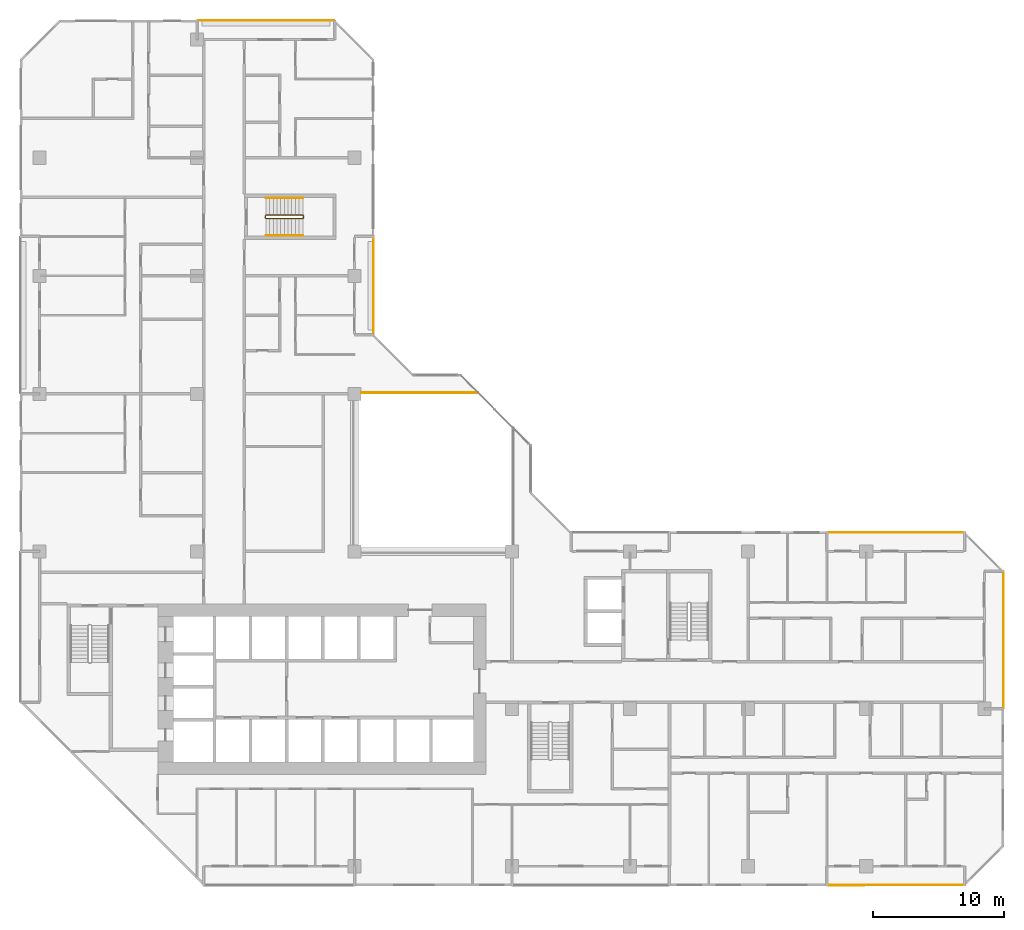
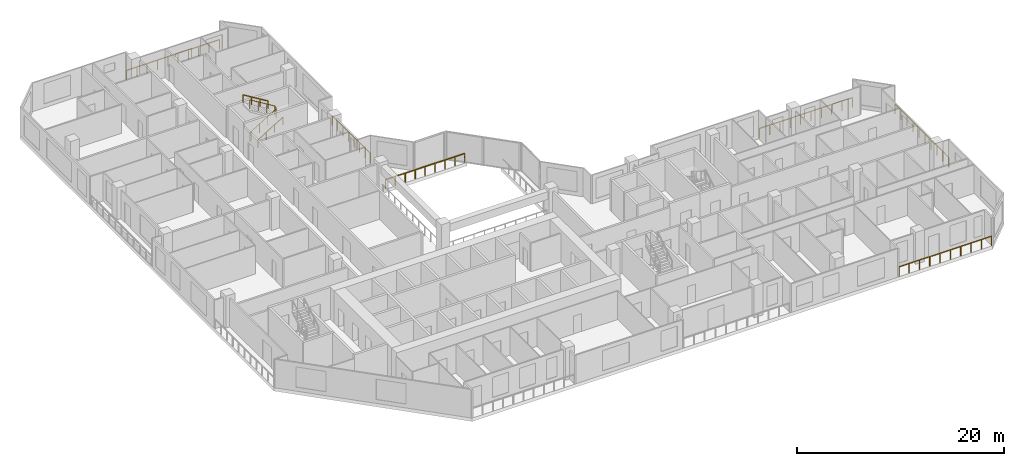
# One storey, part 15 of 15: 9 railings.
"""IFC4 building model written with IfcOpenShell, lengths in metres."""

from ifc_helpers import new_model, si_unit, direction, frame, origin, origin_2d, place, context, subcontext, project, spatial, rectangle, extrude, material, type_object, element, save


model = new_model("IFC4")

# Units and contexts
model_context = context("Model", 3, precision=1e-05, world=origin(), true_north=direction((0.0, 1.0)))
body_context = subcontext(model_context, "Body", "Model", "MODEL_VIEW")
ifc_project = project(units=[si_unit("LENGTHUNIT", "METRE"), si_unit("AREAUNIT", "SQUARE_METRE"), si_unit("VOLUMEUNIT", "CUBIC_METRE"), si_unit("PLANEANGLEUNIT", "RADIAN"), si_unit("MASSUNIT", "GRAM", prefix="KILO")], contexts=[model_context])

# Site, building, storey
site_placement = place(None, origin())
site = spatial("IfcSite", under=ifc_project, at=site_placement, CompositionType="ELEMENT")
building_placement = place(site_placement, origin())
building = spatial("IfcBuilding", under=site, at=building_placement, Name="Chenar Terraces", CompositionType="ELEMENT")
storey_placement = place(building_placement, frame((0.0, 0.0, 118.14990234375)))
storey = spatial("IfcBuildingStorey", under=building, at=storey_placement, Name="L27", CompositionType="ELEMENT", Elevation=118.14990234375)

# Railings
ifc_material_1 = material(Name="Powder-coated steel", Category="steel")
railing_type_1 = type_object("IfcRailingType", Name="Guard 1100 steel rail with glass infill", PredefinedType="GUARDRAIL", material=ifc_material_1)
railing_1_placement = place(storey_placement, frame((24.550048828125, 36.10009765625, 0.0)))
element("IfcRailing", 1, at=railing_1_placement, inside=storey, type_object=railing_type_1, Name="Guard L27-2", PredefinedType="GUARDRAIL", context=body_context, shape_type="SweptSolid", body=[
    extrude(rectangle(XDim=0.06005859375, YDim=0.06005859375, at=origin_2d()), frame((0.0, 0.0, 1.070068359375), z_axis=(1.0, 0.0, 0.0), x_axis=(0.0, 1.0, 0.0)), (0.0, 0.0, 1.0), 8.849853515625),
    extrude(rectangle(XDim=0.050048828125, YDim=0.050048828125, at=origin_2d()), origin(), (0.0, 0.0, 1.0), 1.0400390625),
    extrude(rectangle(XDim=0.050048828125, YDim=0.050048828125, at=origin_2d()), frame((1.106201171875, 0.0, 0.0)), (0.0, 0.0, 1.0), 1.0400390625),
    extrude(rectangle(XDim=0.050048828125, YDim=0.050048828125, at=origin_2d()), frame((2.21240234375, 0.0, 0.0)), (0.0, 0.0, 1.0), 1.0400390625),
    extrude(rectangle(XDim=0.050048828125, YDim=0.050048828125, at=origin_2d()), frame((3.318603515625, 0.0, 0.0)), (0.0, 0.0, 1.0), 1.0400390625),
    extrude(rectangle(XDim=0.050048828125, YDim=0.050048828125, at=origin_2d()), frame((4.4248046875, 0.0, 0.0)), (0.0, 0.0, 1.0), 1.0400390625),
    extrude(rectangle(XDim=0.050048828125, YDim=0.050048828125, at=origin_2d()), frame((5.53125, 0.0, 0.0)), (0.0, 0.0, 1.0), 1.0400390625),
    extrude(rectangle(XDim=0.050048828125, YDim=0.050048828125, at=origin_2d()), frame((6.637451171875, 0.0, 0.0)), (0.0, 0.0, 1.0), 1.0400390625),
    extrude(rectangle(XDim=0.050048828125, YDim=0.050048828125, at=origin_2d()), frame((7.74365234375, 0.0, 0.0)), (0.0, 0.0, 1.0), 1.0400390625),
    extrude(rectangle(XDim=0.050048828125, YDim=0.050048828125, at=origin_2d()), frame((8.849853515625, 0.0, 0.0)), (0.0, 0.0, 1.0), 1.0400390625),
])
ifc_material_2 = material(Name="Stainless steel and glass", Category="steel")
railing_type_2 = type_object("IfcRailingType", Name="Loggia guard 1150", PredefinedType="GUARDRAIL", material=ifc_material_2)
railing_2_placement = place(storey_placement, frame((25.449951171875, 40.574951171875, 0.0)))
element("IfcRailing", 2, at=railing_2_placement, inside=storey, type_object=railing_type_2, Name="Loggia guard", PredefinedType="GUARDRAIL", context=body_context, shape_type="SweptSolid", body=[
    extrude(rectangle(XDim=0.048095703125, YDim=0.048095703125, at=origin_2d()), frame((0.0, 0.0, 1.1259765625), z_axis=(0.0, 1.0, 0.0), x_axis=(-1.0, 0.0, 0.0)), (0.0, 0.0, 1.0), 7.35009765625),
    extrude(rectangle(XDim=0.0419921875, YDim=0.0419921875, at=origin_2d()), origin(), (0.0, 0.0, 1.0), 1.101806640625),
    extrude(rectangle(XDim=0.0419921875, YDim=0.0419921875, at=origin_2d()), frame((0.0, 1.050048828125, 0.0)), (0.0, 0.0, 1.0), 1.101806640625),
    extrude(rectangle(XDim=0.0419921875, YDim=0.0419921875, at=origin_2d()), frame((0.0, 2.10009765625, 0.0)), (0.0, 0.0, 1.0), 1.101806640625),
    extrude(rectangle(XDim=0.0419921875, YDim=0.0419921875, at=origin_2d()), frame((0.0, 3.150146484375, 0.0)), (0.0, 0.0, 1.0), 1.101806640625),
    extrude(rectangle(XDim=0.0419921875, YDim=0.0419921875, at=origin_2d()), frame((0.0, 4.199951171875, 0.0)), (0.0, 0.0, 1.0), 1.101806640625),
    extrude(rectangle(XDim=0.0419921875, YDim=0.0419921875, at=origin_2d()), frame((0.0, 5.25, 0.0)), (0.0, 0.0, 1.0), 1.101806640625),
    extrude(rectangle(XDim=0.0419921875, YDim=0.0419921875, at=origin_2d()), frame((0.0, 6.300048828125, 0.0)), (0.0, 0.0, 1.0), 1.101806640625),
    extrude(rectangle(XDim=0.0419921875, YDim=0.0419921875, at=origin_2d()), frame((0.0, 7.35009765625, 0.0)), (0.0, 0.0, 1.0), 1.101806640625),
])
railing_3_placement = place(storey_placement, frame((73.449951171875, 12.074951171875, 0.0)))
element("IfcRailing", 3, at=railing_3_placement, inside=storey, type_object=railing_type_2, Name="Loggia guard", PredefinedType="GUARDRAIL", context=body_context, shape_type="SweptSolid", body=[
    extrude(rectangle(XDim=0.048095703125, YDim=0.048095703125, at=origin_2d()), frame((0.0, 0.0, 1.1259765625), z_axis=(0.0, 1.0, 0.0), x_axis=(-1.0, 0.0, 0.0)), (0.0, 0.0, 1.0), 10.35009765625),
    extrude(rectangle(XDim=0.0419921875, YDim=0.0419921875, at=origin_2d()), origin(), (0.0, 0.0, 1.0), 1.101806640625),
    extrude(rectangle(XDim=0.0419921875, YDim=0.0419921875, at=origin_2d()), frame((0.0, 1.14990234375, 0.0)), (0.0, 0.0, 1.0), 1.101806640625),
    extrude(rectangle(XDim=0.0419921875, YDim=0.0419921875, at=origin_2d()), frame((0.0, 2.300048828125, 0.0)), (0.0, 0.0, 1.0), 1.101806640625),
    extrude(rectangle(XDim=0.0419921875, YDim=0.0419921875, at=origin_2d()), frame((0.0, 3.449951171875, 0.0)), (0.0, 0.0, 1.0), 1.101806640625),
    extrude(rectangle(XDim=0.0419921875, YDim=0.0419921875, at=origin_2d()), frame((0.0, 4.60009765625, 0.0)), (0.0, 0.0, 1.0), 1.101806640625),
    extrude(rectangle(XDim=0.0419921875, YDim=0.0419921875, at=origin_2d()), frame((0.0, 5.75, 0.0)), (0.0, 0.0, 1.0), 1.101806640625),
    extrude(rectangle(XDim=0.0419921875, YDim=0.0419921875, at=origin_2d()), frame((0.0, 6.900146484375, 0.0)), (0.0, 0.0, 1.0), 1.101806640625),
    extrude(rectangle(XDim=0.0419921875, YDim=0.0419921875, at=origin_2d()), frame((0.0, 8.050048828125, 0.0)), (0.0, 0.0, 1.0), 1.101806640625),
    extrude(rectangle(XDim=0.0419921875, YDim=0.0419921875, at=origin_2d()), frame((0.0, 9.2001953125, 0.0)), (0.0, 0.0, 1.0), 1.101806640625),
    extrude(rectangle(XDim=0.0419921875, YDim=0.0419921875, at=origin_2d()), frame((0.0, 10.35009765625, 0.0)), (0.0, 0.0, 1.0), 1.101806640625),
])
for number, where, name in (
    (4, (70.425048828125, 25.449951171875, 0.0), "Loggia guard"),
    (5, (22.425048828125, 64.449951171875, 0.0), "Loggia guard"),
):
    element("IfcRailing", number, at=place(storey_placement, frame(where)), inside=storey, type_object=railing_type_2, Name=name, PredefinedType="GUARDRAIL", context=body_context, shape_type="SweptSolid", body=[
        extrude(rectangle(XDim=0.048095703125, YDim=0.048095703125, at=origin_2d()), frame((0.0, 0.0, 1.1259765625), z_axis=(-1.0, 0.0, 0.0), x_axis=(0.0, -1.0, 0.0)), (0.0, 0.0, 1.0), 10.35009765625),
        extrude(rectangle(XDim=0.0419921875, YDim=0.0419921875, at=origin_2d()), origin(), (0.0, 0.0, 1.0), 1.101806640625),
        extrude(rectangle(XDim=0.0419921875, YDim=0.0419921875, at=origin_2d()), frame((-1.14990234375, 0.0, 0.0)), (0.0, 0.0, 1.0), 1.101806640625),
        extrude(rectangle(XDim=0.0419921875, YDim=0.0419921875, at=origin_2d()), frame((-2.300048828125, 0.0, 0.0)), (0.0, 0.0, 1.0), 1.101806640625),
        extrude(rectangle(XDim=0.0419921875, YDim=0.0419921875, at=origin_2d()), frame((-3.449951171875, 0.0, 0.0)), (0.0, 0.0, 1.0), 1.101806640625),
        extrude(rectangle(XDim=0.0419921875, YDim=0.0419921875, at=origin_2d()), frame((-4.60009765625, 0.0, 0.0)), (0.0, 0.0, 1.0), 1.101806640625),
        extrude(rectangle(XDim=0.0419921875, YDim=0.0419921875, at=origin_2d()), frame((-5.75, 0.0, 0.0)), (0.0, 0.0, 1.0), 1.101806640625),
        extrude(rectangle(XDim=0.0419921875, YDim=0.0419921875, at=origin_2d()), frame((-6.900146484375, 0.0, 0.0)), (0.0, 0.0, 1.0), 1.101806640625),
        extrude(rectangle(XDim=0.0419921875, YDim=0.0419921875, at=origin_2d()), frame((-8.050048828125, 0.0, 0.0)), (0.0, 0.0, 1.0), 1.101806640625),
        extrude(rectangle(XDim=0.0419921875, YDim=0.0419921875, at=origin_2d()), frame((-9.2001953125, 0.0, 0.0)), (0.0, 0.0, 1.0), 1.101806640625),
        extrude(rectangle(XDim=0.0419921875, YDim=0.0419921875, at=origin_2d()), frame((-10.35009765625, 0.0, 0.0)), (0.0, 0.0, 1.0), 1.101806640625),
    ])
railing_4_placement = place(storey_placement, frame((60.074951171875, -1.449951171875, 0.0)))
element("IfcRailing", 6, at=railing_4_placement, inside=storey, type_object=railing_type_2, Name="Loggia guard", PredefinedType="GUARDRAIL", context=body_context, shape_type="SweptSolid", body=[
    extrude(rectangle(XDim=0.048095703125, YDim=0.048095703125, at=origin_2d()), frame((0.0, 0.0, 1.1259765625), z_axis=(1.0, 0.0, 0.0), x_axis=(0.0, 1.0, 0.0)), (0.0, 0.0, 1.0), 10.35009765625),
    extrude(rectangle(XDim=0.0419921875, YDim=0.0419921875, at=origin_2d()), origin(), (0.0, 0.0, 1.0), 1.101806640625),
    extrude(rectangle(XDim=0.0419921875, YDim=0.0419921875, at=origin_2d()), frame((1.14990234375, 0.0, 0.0)), (0.0, 0.0, 1.0), 1.101806640625),
    extrude(rectangle(XDim=0.0419921875, YDim=0.0419921875, at=origin_2d()), frame((2.300048828125, 0.0, 0.0)), (0.0, 0.0, 1.0), 1.101806640625),
    extrude(rectangle(XDim=0.0419921875, YDim=0.0419921875, at=origin_2d()), frame((3.449951171875, 0.0, 0.0)), (0.0, 0.0, 1.0), 1.101806640625),
    extrude(rectangle(XDim=0.0419921875, YDim=0.0419921875, at=origin_2d()), frame((4.60009765625, 0.0, 0.0)), (0.0, 0.0, 1.0), 1.101806640625),
    extrude(rectangle(XDim=0.0419921875, YDim=0.0419921875, at=origin_2d()), frame((5.75, 0.0, 0.0)), (0.0, 0.0, 1.0), 1.101806640625),
    extrude(rectangle(XDim=0.0419921875, YDim=0.0419921875, at=origin_2d()), frame((6.900146484375, 0.0, 0.0)), (0.0, 0.0, 1.0), 1.101806640625),
    extrude(rectangle(XDim=0.0419921875, YDim=0.0419921875, at=origin_2d()), frame((8.050048828125, 0.0, 0.0)), (0.0, 0.0, 1.0), 1.101806640625),
    extrude(rectangle(XDim=0.0419921875, YDim=0.0419921875, at=origin_2d()), frame((9.2001953125, 0.0, 0.0)), (0.0, 0.0, 1.0), 1.101806640625),
    extrude(rectangle(XDim=0.0419921875, YDim=0.0419921875, at=origin_2d()), frame((10.35009765625, 0.0, 0.0)), (0.0, 0.0, 1.0), 1.101806640625),
])
ifc_material_3 = material(Name="Powder-coated steel", Category="steel")
railing_type_3 = type_object("IfcRailingType", Name="Stair guard 1100", PredefinedType="GUARDRAIL", material=ifc_material_3)
railing_5_placement = place(storey_placement, frame((17.25, 49.625, 3.75)))
element("IfcRailing", 7, at=railing_5_placement, inside=storey, type_object=railing_type_3, Name="L27 ST4 stair guard 1", PredefinedType="GUARDRAIL", context=body_context, shape_type="SweptSolid", body=[
    extrude(rectangle(XDim=0.048095703125, YDim=0.048095703125, at=origin_2d()), frame((0.0, 0.0, 1.076171875), z_axis=(0.854202870247, 0.0, -0.519939858505), x_axis=(0.0, 1.0, 0.0)), (0.0, 0.0, 1.0), 3.278076171875),
    extrude(rectangle(XDim=0.048095703125, YDim=0.048095703125, at=origin_2d()), frame((2.800048828125, 0.0, -0.62841796875), z_axis=(0.270899902878, -0.270899902878, -0.923702595667), x_axis=(0.707106781187, 0.707106781187, 0.0)), (0.0, 0.0, 1.0), 0.184814453125),
    extrude(rectangle(XDim=0.048095703125, YDim=0.048095703125, at=origin_2d()), frame((2.85009765625, -0.050048828125, -0.798828125), z_axis=(0.0, -1.0, 0.0), x_axis=(1.0, 0.0, 0.0)), (0.0, 0.0, 1.0), 0.14990234375),
    extrude(rectangle(XDim=0.048095703125, YDim=0.048095703125, at=origin_2d()), frame((2.85009765625, -0.199951171875, -0.798828125), z_axis=(-0.707106781187, -0.707106781187, 0.0), x_axis=(0.707106781187, -0.707106781187, 0.0)), (0.0, 0.0, 1.0), 0.07080078125),
    extrude(rectangle(XDim=0.048095703125, YDim=0.048095703125, at=origin_2d()), frame((2.800048828125, -0.25, -0.798828125), z_axis=(-0.854202870247, 0.0, -0.519939858505), x_axis=(0.0, -1.0, 0.0)), (0.0, 0.0, 1.0), 3.278076171875),
    extrude(rectangle(XDim=0.048095703125, YDim=0.048095703125, at=origin_2d()), frame((0.0, -0.25, -2.50341796875), z_axis=(-0.270899902878, 0.270899902878, -0.923702595667), x_axis=(-0.707106781187, -0.707106781187, 0.0)), (0.0, 0.0, 1.0), 0.184814453125),
    extrude(rectangle(XDim=0.048095703125, YDim=0.048095703125, at=origin_2d()), frame((-0.050048828125, -0.199951171875, -2.673828125), z_axis=(0.0, 1.0, 0.0), x_axis=(-1.0, 0.0, 0.0)), (0.0, 0.0, 1.0), 0.14990234375),
    extrude(rectangle(XDim=0.0419921875, YDim=0.0419921875, at=origin_2d()), origin(), (0.0, 0.0, 1.0), 1.052001953125),
    extrude(rectangle(XDim=0.0419921875, YDim=0.0419921875, at=origin_2d()), frame((0.933349609375, 0.0, -0.568115234375)), (0.0, 0.0, 1.0), 1.052001953125),
    extrude(rectangle(XDim=0.0419921875, YDim=0.0419921875, at=origin_2d()), frame((1.86669921875, 0.0, -1.13623046875)), (0.0, 0.0, 1.0), 1.052001953125),
    extrude(rectangle(XDim=0.0419921875, YDim=0.0419921875, at=origin_2d()), frame((2.800048828125, 0.0, -1.704345703125)), (0.0, 0.0, 1.0), 1.052001953125),
    extrude(rectangle(XDim=0.0419921875, YDim=0.0419921875, at=origin_2d()), frame((2.85009765625, -0.050048828125, -1.875)), (0.0, 0.0, 1.0), 1.052001953125),
    extrude(rectangle(XDim=0.0419921875, YDim=0.0419921875, at=origin_2d()), frame((2.85009765625, -0.199951171875, -1.875)), (0.0, 0.0, 1.0), 1.052001953125),
    extrude(rectangle(XDim=0.0419921875, YDim=0.0419921875, at=origin_2d()), frame((2.800048828125, -0.25, -1.875)), (0.0, 0.0, 1.0), 1.052001953125),
    extrude(rectangle(XDim=0.0419921875, YDim=0.0419921875, at=origin_2d()), frame((1.86669921875, -0.25, -2.443115234375)), (0.0, 0.0, 1.0), 1.052001953125),
    extrude(rectangle(XDim=0.0419921875, YDim=0.0419921875, at=origin_2d()), frame((0.933349609375, -0.25, -3.01123046875)), (0.0, 0.0, 1.0), 1.052001953125),
    extrude(rectangle(XDim=0.0419921875, YDim=0.0419921875, at=origin_2d()), frame((0.0, -0.25, -3.579345703125)), (0.0, 0.0, 1.0), 1.052001953125),
    extrude(rectangle(XDim=0.0419921875, YDim=0.0419921875, at=origin_2d()), frame((-0.050048828125, -0.199951171875, -3.75)), (0.0, 0.0, 1.0), 1.052001953125),
    extrude(rectangle(XDim=0.0419921875, YDim=0.0419921875, at=origin_2d()), frame((-0.050048828125, -0.050048828125, -3.75)), (0.0, 0.0, 1.0), 1.052001953125),
])
ifc_material_4 = material(Name="Powder-coated steel", Category="steel")
railing_type_4 = type_object("IfcRailingType", Name="Stair handrail 900", PredefinedType="HANDRAIL", material=ifc_material_4)
railing_6_placement = place(storey_placement, frame((17.25, 48.074951171875, 0.170654296875)))
element("IfcRailing", 8, at=railing_6_placement, inside=storey, type_object=railing_type_4, Name="L27 ST4 stair handrail 1", PredefinedType="HANDRAIL", context=body_context, shape_type="SweptSolid", body=[
    extrude(rectangle(XDim=0.048095703125, YDim=0.048095703125, at=origin_2d()), frame((0.0, 0.0, 0.8759765625), z_axis=(0.854202870247, 0.0, 0.519939858505), x_axis=(0.0, 1.0, 0.0)), (0.0, 0.0, 1.0), 3.278076171875),
    extrude(rectangle(XDim=0.0419921875, YDim=0.0419921875, at=origin_2d()), origin(), (0.0, 0.0, 1.0), 0.851806640625),
    extrude(rectangle(XDim=0.0419921875, YDim=0.0419921875, at=origin_2d()), frame((0.933349609375, 0.0, 0.568115234375)), (0.0, 0.0, 1.0), 0.851806640625),
    extrude(rectangle(XDim=0.0419921875, YDim=0.0419921875, at=origin_2d()), frame((1.86669921875, 0.0, 1.13623046875)), (0.0, 0.0, 1.0), 0.851806640625),
    extrude(rectangle(XDim=0.0419921875, YDim=0.0419921875, at=origin_2d()), frame((2.800048828125, 0.0, 1.704345703125)), (0.0, 0.0, 1.0), 0.851806640625),
])
railing_7_placement = place(storey_placement, frame((20.050048828125, 50.925048828125, 2.045654296875)))
element("IfcRailing", 9, at=railing_7_placement, inside=storey, type_object=railing_type_4, Name="L27 ST4 stair handrail 2", PredefinedType="HANDRAIL", context=body_context, shape_type="SweptSolid", body=[
    extrude(rectangle(XDim=0.048095703125, YDim=0.048095703125, at=origin_2d()), frame((0.0, 0.0, 0.8759765625), z_axis=(-0.854202870247, 0.0, 0.519939858505), x_axis=(0.0, -1.0, 0.0)), (0.0, 0.0, 1.0), 3.278076171875),
    extrude(rectangle(XDim=0.0419921875, YDim=0.0419921875, at=origin_2d()), origin(), (0.0, 0.0, 1.0), 0.851806640625),
    extrude(rectangle(XDim=0.0419921875, YDim=0.0419921875, at=origin_2d()), frame((-0.933349609375, 0.0, 0.568115234375)), (0.0, 0.0, 1.0), 0.851806640625),
    extrude(rectangle(XDim=0.0419921875, YDim=0.0419921875, at=origin_2d()), frame((-1.86669921875, 0.0, 1.13623046875)), (0.0, 0.0, 1.0), 0.851806640625),
    extrude(rectangle(XDim=0.0419921875, YDim=0.0419921875, at=origin_2d()), frame((-2.800048828125, 0.0, 1.704345703125)), (0.0, 0.0, 1.0), 0.851806640625),
])

save(model, "model.ifc")
